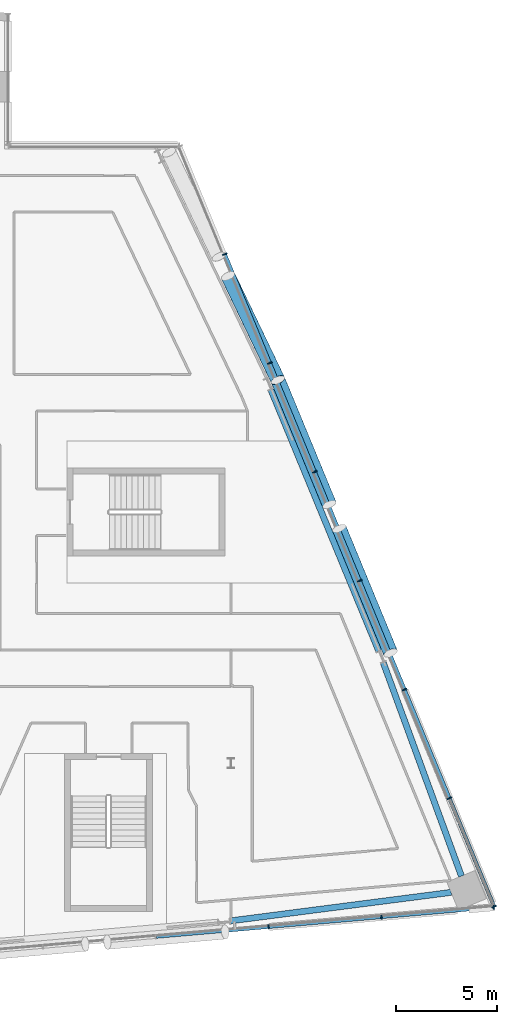
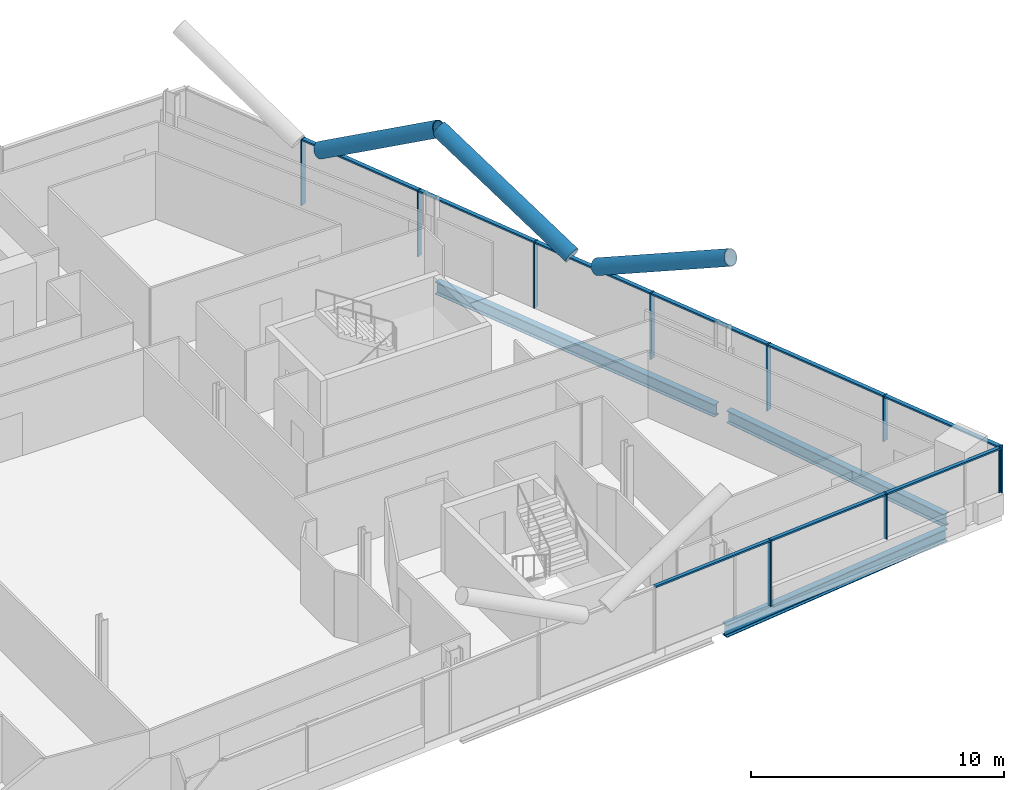
# One storey, part 11 of 28: 22 members, 3 beams, 2 elements without a shape of their own.
"""IFC4 building model written with IfcOpenShell, lengths in metres."""

from ifc_helpers import new_model, si_unit, direction, frame, origin, origin_2d, place, context, subcontext, project, spatial, rectangle, hollow_circle, i_section, extrude, material, material_profile, profile_set, type_object, element, aggregate, save


model = new_model("IFC4")

# Units and contexts
model_context = context("Model", 3, precision=1e-05, world=origin(), true_north=direction((0.0, 1.0)))
body_context = subcontext(model_context, "Body", "Model", "MODEL_VIEW")
ifc_project = project(units=[si_unit("LENGTHUNIT", "METRE"), si_unit("AREAUNIT", "SQUARE_METRE"), si_unit("VOLUMEUNIT", "CUBIC_METRE"), si_unit("PLANEANGLEUNIT", "RADIAN"), si_unit("MASSUNIT", "GRAM", prefix="KILO")], contexts=[model_context])

# Site, building, storey
site_placement = place(None, origin())
site = spatial("IfcSite", under=ifc_project, at=site_placement, CompositionType="ELEMENT")
building_placement = place(site_placement, origin())
building = spatial("IfcBuilding", under=site, at=building_placement, Name="Wharfspan Tower", CompositionType="ELEMENT")
storey_placement = place(building_placement, frame((0.0, 0.0, 187.899902)))
storey = spatial("IfcBuildingStorey", under=building, at=storey_placement, Name="L46", CompositionType="ELEMENT", Elevation=187.899902)

# Beams
ifc_material_1 = material(Name="Steel S355J2", Category="steel")
ifc_material_profile_1 = material_profile(ifc_material_1, i_section(OverallWidth=0.300049, OverallDepth=0.600098, WebThickness=0.015381, FlangeThickness=0.030029, FilletRadius=0.0271, at=origin_2d()))
ifc_profile_set_1 = profile_set([ifc_material_profile_1], Name="Steel S355J2")
beam_type = type_object("IfcBeamType", Name="Edge beam HEB 600", PredefinedType="SPANDREL", material=ifc_profile_set_1)
beam_1_placement = place(storey_placement, frame((71.965576, 3.724121, -0.699951), z_axis=(0.991764, 0.128077, 0.0), x_axis=(-0.128077, 0.991764, 0.0)))
element("IfcBeam", 1, at=beam_1_placement, inside=storey, type_object=beam_type, Name="Edge beam S2 L46 PS2.2 to MC4", PredefinedType="SPANDREL", context=body_context, shape_type="SweptSolid", body=[
    extrude(i_section(OverallWidth=0.300049, OverallDepth=0.600098, WebThickness=0.015381, FlangeThickness=0.030029, FilletRadius=0.0271, at=origin_2d()), origin(), (0.0, 0.0, 1.0), 10.991211),
])
beam_2_placement = place(storey_placement, frame((83.375732, 5.931885, -0.699951), z_axis=(-0.343871, 0.939017, 0.0), x_axis=(-0.939017, -0.343871, 0.0)))
element("IfcBeam", 2, at=beam_2_placement, inside=storey, type_object=beam_type, Name="Edge beam E L46 MC4 to PE.1", PredefinedType="SPANDREL", context=body_context, shape_type="SweptSolid", body=[
    extrude(i_section(OverallWidth=0.300049, OverallDepth=0.600098, WebThickness=0.015381, FlangeThickness=0.030029, FilletRadius=0.0271, at=origin_2d()), origin(), (0.0, 0.0, 1.0), 11.226807),
])
beam_3_placement = place(storey_placement, frame((79.292969, 17.044434, -0.699951), z_axis=(-0.381593, 0.92433, 0.0), x_axis=(-0.92433, -0.381593, 0.0)))
element("IfcBeam", 3, at=beam_3_placement, inside=storey, type_object=beam_type, Name="Edge beam E L46 PE.1 to PE.2", PredefinedType="SPANDREL", context=body_context, shape_type="SweptSolid", body=[
    extrude(i_section(OverallWidth=0.300049, OverallDepth=0.600098, WebThickness=0.015381, FlangeThickness=0.030029, FilletRadius=0.0271, at=origin_2d()), origin(), (0.0, 0.0, 1.0), 13.94751),
])

# Curtain wall, members
ifc_material_2 = material(Name="Aluminium 6063-T6", Category="aluminium")
curtain_wall_type_1 = type_object("IfcCurtainWallType", Name="CURTAIN WALL FACETED FRONT", PredefinedType="NOTDEFINED", material=ifc_material_2)
curtain_wall_1_placement = place(storey_placement, origin())
curtain_wall_1 = element("IfcCurtainWall", 4, at=curtain_wall_1_placement, inside=storey, type_object=curtain_wall_type_1, Name="Curtain wall S2", PredefinedType="NOTDEFINED")
ifc_material_profile_2 = material_profile(ifc_material_2, rectangle(XDim=0.199951, YDim=0.060059, at=origin_2d()))
ifc_profile_set_2 = profile_set([ifc_material_profile_2], Name="Aluminium 6063-T6")
member_type_1 = type_object("IfcMemberType", Name="MULLION FACETED FRONT 60x200", PredefinedType="MULLION", material=ifc_profile_set_2)
member_1_placement = place(storey_placement, frame((73.857178, 3.425049, 0.0), z_axis=(0.0, 0.0, 1.0), x_axis=(-0.087156, 0.996198, 0.0)))
member_1 = element("IfcMember", 5, at=member_1_placement, type_object=member_type_1, Name="Curtain wall S2 mullion 6", PredefinedType="MULLION", context=body_context, shape_type="SweptSolid", body=[
    extrude(rectangle(XDim=0.199951, YDim=0.060059, at=origin_2d()), origin(), (0.0, 0.0, 1.0), 3.200195),
])
member_2_placement = place(storey_placement, frame((79.428467, 3.912598, 1.0), z_axis=(0.0, 0.0, 1.0), x_axis=(-0.087156, 0.996198, 0.0)))
member_2 = element("IfcMember", 6, at=member_2_placement, type_object=member_type_1, Name="Curtain wall S2 mullion 7", PredefinedType="MULLION", context=body_context, shape_type="SweptSolid", body=[
    extrude(rectangle(XDim=0.199951, YDim=0.060059, at=origin_2d()), origin(), (0.0, 0.0, 1.0), 2.200195),
])
member_3_placement = place(storey_placement, frame((84.970215, 4.397461, 1.0), z_axis=(0.0, 0.0, 1.0), x_axis=(-0.087156, 0.996198, 0.0)))
member_3 = element("IfcMember", 7, at=member_3_placement, type_object=member_type_1, Name="Curtain wall S2 mullion 8", PredefinedType="MULLION", context=body_context, shape_type="SweptSolid", body=[
    extrude(rectangle(XDim=0.199951, YDim=0.060059, at=origin_2d()), origin(), (0.0, 0.0, 1.0), 2.200195),
])

curtain_wall_type_2 = type_object("IfcCurtainWallType", Name="CURTAIN WALL PROW AND END", PredefinedType="NOTDEFINED", material=ifc_material_2)
curtain_wall_2_placement = place(storey_placement, origin())
curtain_wall_2 = element("IfcCurtainWall", 8, at=curtain_wall_2_placement, inside=storey, type_object=curtain_wall_type_2, Name="Curtain wall E", PredefinedType="NOTDEFINED")
ifc_material_profile_3 = material_profile(ifc_material_2, rectangle(XDim=0.23999, YDim=0.060059, at=origin_2d()))
ifc_profile_set_3 = profile_set([ifc_material_profile_3], Name="Aluminium 6063-T6")
member_type_2 = type_object("IfcMemberType", Name="MULLION PROW AND END 60x240", PredefinedType="MULLION", material=ifc_profile_set_3)
member_4_placement = place(storey_placement, frame((84.988525, 4.427734, 1.0), z_axis=(0.0, 0.0, 1.0), x_axis=(-0.924325, -0.381602, 0.0)))
member_4 = element("IfcMember", 9, at=member_4_placement, type_object=member_type_2, Name="Curtain wall E mullion 1", PredefinedType="MULLION", context=body_context, shape_type="SweptSolid", body=[
    extrude(rectangle(XDim=0.23999, YDim=0.060059, at=origin_2d()), origin(), (0.0, 0.0, 1.0), 2.200195),
])
member_5_placement = place(storey_placement, frame((82.782471, 9.771484, 1.0), z_axis=(0.0, 0.0, 1.0), x_axis=(-0.924325, -0.381602, 0.0)))
member_5 = element("IfcMember", 10, at=member_5_placement, type_object=member_type_2, Name="Curtain wall E mullion 2", PredefinedType="MULLION", context=body_context, shape_type="SweptSolid", body=[
    extrude(rectangle(XDim=0.23999, YDim=0.060059, at=origin_2d()), origin(), (0.0, 0.0, 1.0), 2.200195),
])
member_6_placement = place(storey_placement, frame((80.564941, 15.142822, 0.0), z_axis=(0.0, 0.0, 1.0), x_axis=(-0.924325, -0.381602, 0.0)))
member_6 = element("IfcMember", 11, at=member_6_placement, type_object=member_type_2, Name="Curtain wall E mullion 3", PredefinedType="MULLION", context=body_context, shape_type="SweptSolid", body=[
    extrude(rectangle(XDim=0.23999, YDim=0.060059, at=origin_2d()), origin(), (0.0, 0.0, 1.0), 3.200195),
])
member_7_placement = place(storey_placement, frame((78.347412, 20.514404, 0.0), z_axis=(0.0, 0.0, 1.0), x_axis=(-0.924325, -0.381602, 0.0)))
member_7 = element("IfcMember", 12, at=member_7_placement, type_object=member_type_2, Name="Curtain wall E mullion 4", PredefinedType="MULLION", context=body_context, shape_type="SweptSolid", body=[
    extrude(rectangle(XDim=0.23999, YDim=0.060059, at=origin_2d()), origin(), (0.0, 0.0, 1.0), 3.200195),
])
member_8_placement = place(storey_placement, frame((76.129639, 25.885742, 0.0), z_axis=(0.0, 0.0, 1.0), x_axis=(-0.924325, -0.381602, 0.0)))
member_8 = element("IfcMember", 13, at=member_8_placement, type_object=member_type_2, Name="Curtain wall E mullion 5", PredefinedType="MULLION", context=body_context, shape_type="SweptSolid", body=[
    extrude(rectangle(XDim=0.23999, YDim=0.060059, at=origin_2d()), origin(), (0.0, 0.0, 1.0), 3.200195),
])
member_9_placement = place(storey_placement, frame((73.912109, 31.25708, 0.0), z_axis=(0.0, 0.0, 1.0), x_axis=(-0.924325, -0.381602, 0.0)))
member_9 = element("IfcMember", 14, at=member_9_placement, type_object=member_type_2, Name="Curtain wall E mullion 6", PredefinedType="MULLION", context=body_context, shape_type="SweptSolid", body=[
    extrude(rectangle(XDim=0.23999, YDim=0.060059, at=origin_2d()), origin(), (0.0, 0.0, 1.0), 3.200195),
])
member_10_placement = place(storey_placement, frame((71.69458, 36.628662, 0.0), z_axis=(0.0, 0.0, 1.0), x_axis=(-0.924325, -0.381602, 0.0)))
member_10 = element("IfcMember", 15, at=member_10_placement, type_object=member_type_2, Name="Curtain wall E mullion 7", PredefinedType="MULLION", context=body_context, shape_type="SweptSolid", body=[
    extrude(rectangle(XDim=0.23999, YDim=0.060059, at=origin_2d()), origin(), (0.0, 0.0, 1.0), 3.200195),
])

# Members
ifc_material_3 = material(Name="Steel S460NH", Category="steel")
ifc_material_profile_4 = material_profile(ifc_material_3, hollow_circle(Radius=0.355469, WallThickness=0.035889, at=origin_2d()))
ifc_profile_set_4 = profile_set([ifc_material_profile_4], Name="Steel S460NH")
member_type_3 = type_object("IfcMemberType", Name="Mega brace CHS 711x36", PredefinedType="BRACE", material=ifc_profile_set_4)
for number, where, z_axis, x_axis, name in (
    (16, (76.854248, 24.275146, 3.216797), (-0.342084, 0.828543, 0.443278), (-0.924317, -0.381625, -3e-06), "Mega brace E5 L46 part 2"),
    (17, (77.343018, 23.091309, 3.216797), (0.342045, -0.828562, 0.443271), (0.924337, 0.381581, -3e-06), "Mega brace E5 L46 part 4"),
):
    element("IfcMember", number, at=place(storey_placement, frame(where, z_axis=z_axis, x_axis=x_axis)), inside=storey, type_object=member_type_3, Name=name, PredefinedType="BRACE", context=body_context, shape_type="SweptSolid", body=[
        extrude(hollow_circle(Radius=0.355469, WallThickness=0.035889, at=origin_2d()), origin(), (0.0, 0.0, 1.0), 7.406738),
    ])
member_11_placement = place(storey_placement, frame((71.858154, 35.550537, 3.205811), z_axis=(0.374119, -0.780731, 0.500494), x_axis=(0.90181, 0.432137, -3e-06)))
element("IfcMember", 18, at=member_11_placement, inside=storey, type_object=member_type_3, Name="Mega brace E6 L46 part 4", PredefinedType="BRACE", context=body_context, shape_type="SweptSolid", body=[
    extrude(hollow_circle(Radius=0.355469, WallThickness=0.035889, at=origin_2d()), origin(), (0.0, 0.0, 1.0), 6.581787),
])

# Member
ifc_material_profile_5 = material_profile(ifc_material_2, rectangle(XDim=0.159912, YDim=0.080078, at=origin_2d()))
ifc_profile_set_5 = profile_set([ifc_material_profile_5], Name="Aluminium 6063-T6")
member_type_4 = type_object("IfcMemberType", Name="TRANSOM FACETED FRONT 80x160", PredefinedType="USERDEFINED", material=ifc_profile_set_5)
member_12_placement = place(storey_placement, frame((68.315674, 2.940186, 3.160156), z_axis=(0.996191, 0.087197, 0.0), x_axis=(-0.087197, 0.996191, 0.0)))
member_12 = element("IfcMember", 19, at=member_12_placement, type_object=member_type_4, Name="Curtain wall S2 transom 5", ObjectType="TRANSOM", PredefinedType="USERDEFINED", context=body_context, shape_type="SweptSolid", body=[
    extrude(rectangle(XDim=0.159912, YDim=0.080078, at=origin_2d()), origin(), (0.0, 0.0, 1.0), 5.532471),
])

member_13_placement = place(storey_placement, frame((73.886963, 3.427734, 3.160156), z_axis=(0.996195, 0.087149, 0.0), x_axis=(-0.087149, 0.996195, 0.0)))
member_13 = element("IfcMember", 20, at=member_13_placement, type_object=member_type_4, Name="Curtain wall S2 transom 6", ObjectType="TRANSOM", PredefinedType="USERDEFINED", context=body_context, shape_type="SweptSolid", body=[
    extrude(rectangle(XDim=0.159912, YDim=0.080078, at=origin_2d()), origin(), (0.0, 0.0, 1.0), 5.532715),
])

member_14_placement = place(storey_placement, frame((79.458496, 3.915283, 3.160156), z_axis=(0.996196, 0.087139, 0.0), x_axis=(-0.087139, 0.996196, 0.0)))
member_14 = element("IfcMember", 21, at=member_14_placement, type_object=member_type_4, Name="Curtain wall S2 transom 7", ObjectType="TRANSOM", PredefinedType="USERDEFINED", context=body_context, shape_type="SweptSolid", body=[
    extrude(rectangle(XDim=0.159912, YDim=0.080078, at=origin_2d()), origin(), (0.0, 0.0, 1.0), 5.502686),
])

aggregate(curtain_wall_1, [member_1, member_2, member_3, member_12, member_13, member_14])

ifc_material_profile_6 = material_profile(ifc_material_2, rectangle(XDim=0.179932, YDim=0.080078, at=origin_2d()))
ifc_profile_set_6 = profile_set([ifc_material_profile_6], Name="Aluminium 6063-T6")
member_type_5 = type_object("IfcMemberType", Name="TRANSOM PROW AND END 80x180", PredefinedType="USERDEFINED", material=ifc_profile_set_6)
member_15_placement = place(storey_placement, frame((84.977051, 4.455566, 3.160156), z_axis=(-0.381595, 0.924329, 0.0), x_axis=(-0.924329, -0.381595, 0.0)))
member_15 = element("IfcMember", 22, at=member_15_placement, type_object=member_type_5, Name="Curtain wall E transom 1", ObjectType="TRANSOM", PredefinedType="USERDEFINED", context=body_context, shape_type="SweptSolid", body=[
    extrude(rectangle(XDim=0.179932, YDim=0.080078, at=origin_2d()), origin(), (0.0, 0.0, 1.0), 5.720947),
])

member_16_placement = place(storey_placement, frame((82.770996, 9.799072, 3.160156), z_axis=(-0.381578, 0.924337, 0.0), x_axis=(-0.924337, -0.381578, 0.0)))
member_16 = element("IfcMember", 23, at=member_16_placement, type_object=member_type_5, Name="Curtain wall E transom 2", ObjectType="TRANSOM", PredefinedType="USERDEFINED", context=body_context, shape_type="SweptSolid", body=[
    extrude(rectangle(XDim=0.179932, YDim=0.080078, at=origin_2d()), origin(), (0.0, 0.0, 1.0), 5.751221),
])

member_17_placement = place(storey_placement, frame((80.553467, 15.170654, 3.160156), z_axis=(-0.381629, 0.924315, 0.0), x_axis=(-0.924315, -0.381629, 0.0)))
member_17 = element("IfcMember", 24, at=member_17_placement, type_object=member_type_5, Name="Curtain wall E transom 3", ObjectType="TRANSOM", PredefinedType="USERDEFINED", context=body_context, shape_type="SweptSolid", body=[
    extrude(rectangle(XDim=0.179932, YDim=0.080078, at=origin_2d()), origin(), (0.0, 0.0, 1.0), 5.751221),
])

member_18_placement = place(storey_placement, frame((78.335938, 20.541992, 3.160156), z_axis=(-0.381629, 0.924315, 0.0), x_axis=(-0.924315, -0.381629, 0.0)))
member_18 = element("IfcMember", 25, at=member_18_placement, type_object=member_type_5, Name="Curtain wall E transom 4", ObjectType="TRANSOM", PredefinedType="USERDEFINED", context=body_context, shape_type="SweptSolid", body=[
    extrude(rectangle(XDim=0.179932, YDim=0.080078, at=origin_2d()), origin(), (0.0, 0.0, 1.0), 5.751221),
])

member_19_placement = place(storey_placement, frame((76.118408, 25.91333, 3.160156), z_axis=(-0.381614, 0.924322, 0.0), x_axis=(-0.924322, -0.381614, 0.0)))
member_19 = element("IfcMember", 26, at=member_19_placement, type_object=member_type_5, Name="Curtain wall E transom 5", ObjectType="TRANSOM", PredefinedType="USERDEFINED", context=body_context, shape_type="SweptSolid", body=[
    extrude(rectangle(XDim=0.179932, YDim=0.080078, at=origin_2d()), origin(), (0.0, 0.0, 1.0), 5.751465),
])

member_20_placement = place(storey_placement, frame((73.900635, 31.284912, 3.160156), z_axis=(-0.381593, 0.92433, 0.0), x_axis=(-0.92433, -0.381593, 0.0)))
member_20 = element("IfcMember", 27, at=member_20_placement, type_object=member_type_5, Name="Curtain wall E transom 6", ObjectType="TRANSOM", PredefinedType="USERDEFINED", context=body_context, shape_type="SweptSolid", body=[
    extrude(rectangle(XDim=0.179932, YDim=0.080078, at=origin_2d()), origin(), (0.0, 0.0, 1.0), 5.751221),
])

aggregate(curtain_wall_2, [member_4, member_5, member_6, member_7, member_8, member_9, member_10, member_15, member_16, member_17, member_18, member_19, member_20])

save(model, "model.ifc")
